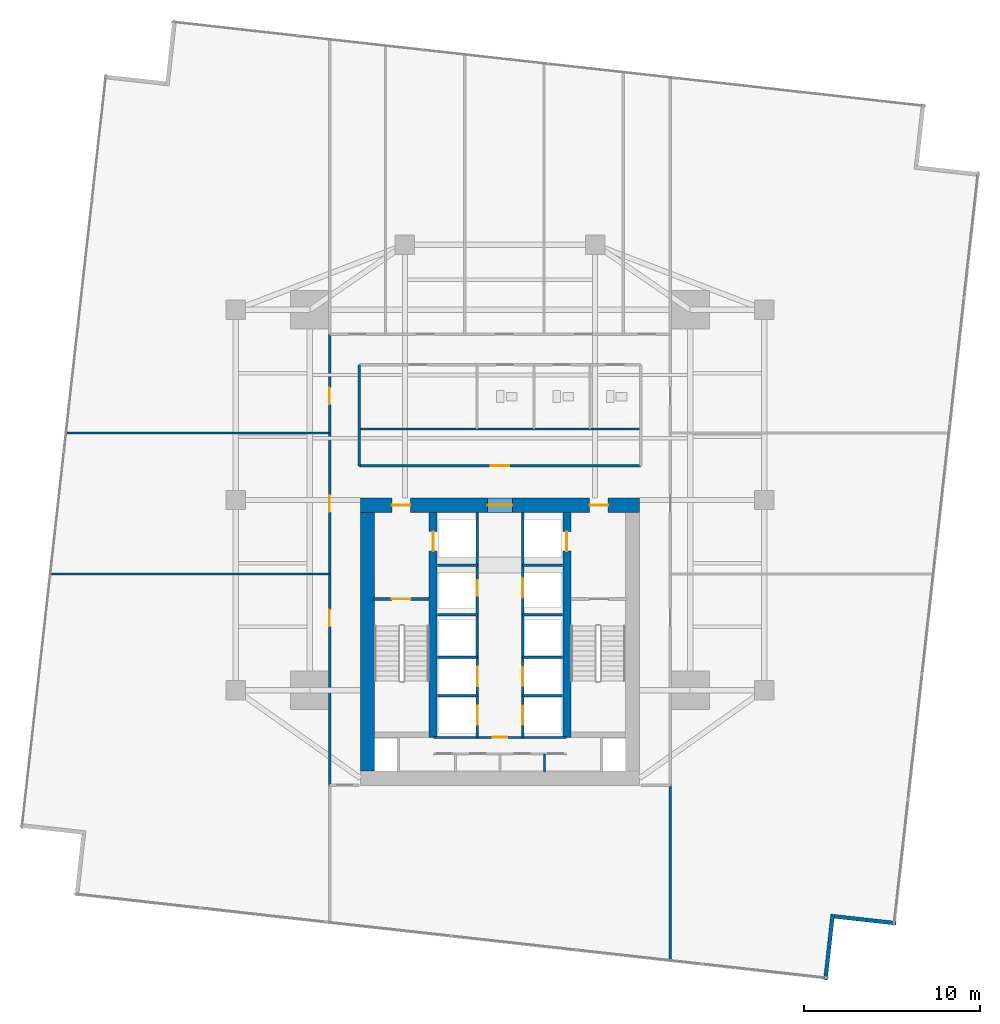
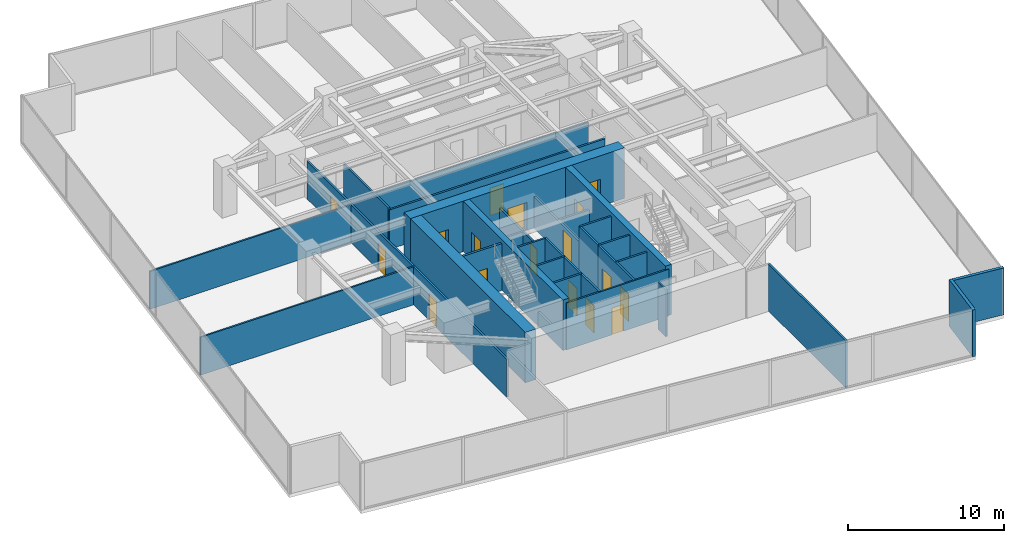
# One storey, part 25 of 29: 30 walls, 17 doors, 17 openings.
"""IFC4 building model written with IfcOpenShell, lengths in metres."""

import ifcopenshell
import ifcopenshell.guid

model = None  # the IFC model being written
_history = None  # IfcOwnerHistory: only IFC2X3 demands one
_inside = {}  # id of a spatial element -> (the spatial element, [elements in it])
_under = {}  # id of a project, library or spatial element -> (it, [spatial elements below it])
_declared = {}  # id of a project -> (the project, [libraries it declares])
_typed = {}  # id of a type object -> (the type object, [elements of that type])
_made_of = {}  # id of a material, layer set ... -> (it, [elements and type objects made of it])


def new_model(schema):
    """Start an empty IFC model of exactly this schema.

    Asked for "IFC4X3", IfcOpenShell would pick the latest addendum, in which some entities
    have other attributes; the version numbers below select the first issue.
    IFC2X3 requires an IfcOwnerHistory on every rooted entity: one is made here for all.
    """
    global model, _history
    if schema == "IFC4X3":
        model = ifcopenshell.file(schema_version=(4, 3, 0, 0))
    else:
        model = ifcopenshell.file(schema=schema)
    _inside.clear()
    _under.clear()
    _declared.clear()
    _typed.clear()
    _made_of.clear()
    _history = None
    if model.schema == "IFC2X3":
        org = make("IfcOrganization", Name="unknown")
        user = make(
            "IfcPersonAndOrganization",
            ThePerson=make("IfcPerson", FamilyName="unknown"),
            TheOrganization=org,
        )
        app = make(
            "IfcApplication",
            ApplicationDeveloper=org,
            Version="unknown",
            ApplicationFullName="unknown",
            ApplicationIdentifier="unknown",
        )
        _history = make(
            "IfcOwnerHistory",
            OwningUser=user,
            OwningApplication=app,
            ChangeAction="ADDED",
            CreationDate=0,
        )
    return model


def make(cls, **values):
    """One entity of the class cls with the attributes given. An attribute that is None is left unset."""
    return model.create_entity(
        cls, **{name: value for name, value in values.items() if value is not None}
    )


def rooted(cls, **values):
    """An entity with a GlobalId (a new one), such as an element, a storey or a relation."""
    return make(cls, GlobalId=ifcopenshell.guid.new(), OwnerHistory=_history, **values)


def si_unit(unit_type, name, prefix=None):
    """IfcSIUnit, for example si_unit("LENGTHUNIT", "METRE", prefix="MILLI")."""
    return make("IfcSIUnit", UnitType=unit_type, Prefix=prefix, Name=name)


def assignment(units):
    """IfcUnitAssignment: the units of a project."""
    return None if units is None else make("IfcUnitAssignment", Units=units)


def point(xyz):
    """IfcCartesianPoint."""
    return None if xyz is None else make("IfcCartesianPoint", Coordinates=xyz)


def direction(xyz):
    """IfcDirection."""
    return None if xyz is None else make("IfcDirection", DirectionRatios=xyz)


def frame(location, z_axis=None, x_axis=None):
    """IfcAxis2Placement3D, a coordinate frame: its origin and axes. An axis left out is left unset."""
    return make(
        "IfcAxis2Placement3D",
        Location=point(location),
        Axis=direction(z_axis),
        RefDirection=direction(x_axis),
    )


def frame_2d(location, x_axis=None):
    """IfcAxis2Placement2D, a coordinate frame in the plane: its origin and x axis."""
    return make(
        "IfcAxis2Placement2D", Location=point(location), RefDirection=direction(x_axis)
    )


def origin():
    """The frame at (0, 0, 0) with its axes left unset."""
    return frame((0.0, 0.0, 0.0))


def place(relative_to, where):
    """IfcLocalPlacement: puts the frame where relative to a parent placement (None: the world)."""
    return make(
        "IfcLocalPlacement", PlacementRelTo=relative_to, RelativePlacement=where
    )


def context(
    kind, dimensions, precision=None, world=None, true_north=None, identifier=None
):
    """IfcGeometricRepresentationContext, for example the 3D "Model" context."""
    return make(
        "IfcGeometricRepresentationContext",
        ContextIdentifier=identifier,
        ContextType=kind,
        CoordinateSpaceDimension=dimensions,
        Precision=precision,
        WorldCoordinateSystem=world,
        TrueNorth=true_north,
    )


def subcontext(parent, identifier, kind, view, scale=None):
    """IfcGeometricRepresentationSubContext, for example "Body" below "Model"."""
    return make(
        "IfcGeometricRepresentationSubContext",
        ContextIdentifier=identifier,
        ContextType=kind,
        ParentContext=parent,
        TargetScale=scale,
        TargetView=view,
    )


def project(units=None, contexts=None):
    """IfcProject with its units and contexts."""
    return rooted(
        "IfcProject",
        Name="project",
        RepresentationContexts=contexts,
        UnitsInContext=assignment(units),
    )


def spatial(cls, under=None, at=None, **own):
    """A site, building, storey or space (cls), placed at a placement, below another one or the project."""
    s = rooted(cls, ObjectPlacement=at, **own)
    if under is not None:
        _under.setdefault(under.id(), (under, []))[1].append(s)
    return s


def profile(cls, at=None, kind="AREA", **sizes):
    """A parametric profile (cls). Its sizes go by their IFC names, for example OverallWidth=200.0."""
    return make(cls, ProfileType=kind, Position=at, **sizes)


def rectangle(**sizes):
    """IfcRectangleProfileDef."""
    return profile("IfcRectangleProfileDef", **sizes)


def extrude(swept, where, along, depth):
    """IfcExtrudedAreaSolid: the profile swept, set in the frame where, extruded along a direction by depth."""
    return make(
        "IfcExtrudedAreaSolid",
        SweptArea=swept,
        Position=where,
        ExtrudedDirection=direction(along),
        Depth=depth,
    )


def shape(context_of_items, identifier, shape_type, items):
    """IfcShapeRepresentation: the items that make up one representation, for example the "Body"."""
    return make(
        "IfcShapeRepresentation",
        ContextOfItems=context_of_items,
        RepresentationIdentifier=identifier,
        RepresentationType=shape_type,
        Items=items,
    )


def material(Name=None, Category=None):
    """IfcMaterial."""
    return make("IfcMaterial", Name=Name, Category=Category)


def layer(
    of_material, thickness, ventilated=None, Name=None, Category=None, Priority=None
):
    """IfcMaterialLayer: one layer of a wall or slab, of a material (None: an air gap)."""
    return make(
        "IfcMaterialLayer",
        Material=of_material,
        LayerThickness=thickness,
        IsVentilated=ventilated,
        Name=Name,
        Category=Category,
        Priority=Priority,
    )


def layer_set(layers, Name=None):
    """IfcMaterialLayerSet."""
    return make("IfcMaterialLayerSet", MaterialLayers=layers, LayerSetName=Name)


def made_of(thing, what):
    """Note that an element or type object is made of a material, layer set ...; save() writes the relation."""
    if what is not None:
        _made_of.setdefault(what.id(), (what, []))[1].append(thing)
    return thing


def type_object(cls, material=None, **own):
    """A type object (cls), such as IfcWallType, which elements share."""
    return made_of(rooted(cls, **own), material)


def element(
    cls,
    number,
    at=None,
    inside=None,
    cuts=None,
    type_object=None,
    material=None,
    context=None,
    identifier="Body",
    shape_type=None,
    held_by="IfcProductDefinitionShape",
    body=None,
    shapes=None,
    **own,
):
    """One element of the class cls, such as IfcWall. Its Tag is "e" and its number.

    at: its placement. inside: the storey or other place that contains it. cuts: it is an
    opening in that element (IfcRelVoidsElement). A single representation is given by context,
    identifier, shape_type and body (its items); several are given by shapes. held_by: the class
    of the entity that holds the representations. save() writes the other relations.
    """
    e = rooted(cls, Tag="e%d" % number, ObjectPlacement=at, **own)
    if body is not None:
        shapes = [shape(context, identifier, shape_type, body)]
    if shapes is not None:
        e.Representation = make(held_by, Representations=shapes)
    if inside is not None:
        _inside.setdefault(inside.id(), (inside, []))[1].append(e)
    if cuts is not None:
        rooted(
            "IfcRelVoidsElement", RelatingBuildingElement=cuts, RelatedOpeningElement=e
        )
    if type_object is not None:
        _typed.setdefault(type_object.id(), (type_object, []))[1].append(e)
    return made_of(e, material)


def fill(opening, filler):
    """IfcRelFillsElement: the door or window that sits in an opening."""
    return rooted(
        "IfcRelFillsElement",
        RelatingOpeningElement=opening,
        RelatedBuildingElement=filler,
    )


def aggregate(whole, parts):
    """IfcRelAggregates: a whole, such as a stair, and the parts it consists of."""
    return rooted("IfcRelAggregates", RelatingObject=whole, RelatedObjects=parts)


def save(model, path):
    """Write the relations noted so far, then the file.

    IfcRelAggregates (storeys below a building ...), IfcRelContainedInSpatialStructure (elements
    in a storey), IfcRelDefinesByType, IfcRelAssociatesMaterial and IfcRelDeclares: one each for
    every whole, place, type object, material and project.
    """
    for whole, parts in _under.values():
        aggregate(whole, parts)
    for where, things in _inside.values():
        rooted(
            "IfcRelContainedInSpatialStructure",
            RelatedElements=things,
            RelatingStructure=where,
        )
    for kind, things in _typed.values():
        rooted("IfcRelDefinesByType", RelatedObjects=things, RelatingType=kind)
    for what, things in _made_of.values():
        rooted("IfcRelAssociatesMaterial", RelatedObjects=things, RelatingMaterial=what)
    for by, libraries in _declared.values():
        rooted("IfcRelDeclares", RelatingContext=by, RelatedDefinitions=libraries)
    model.write(path)


model = new_model("IFC4")

# Units and contexts
model_context = context("Model", 3, precision=1e-05, world=origin(), true_north=direction((0.0, 1.0)))
body_context = subcontext(model_context, "Body", "Model", "MODEL_VIEW")
ifc_project = project(units=[si_unit("LENGTHUNIT", "METRE"), si_unit("AREAUNIT", "SQUARE_METRE"), si_unit("VOLUMEUNIT", "CUBIC_METRE"), si_unit("PLANEANGLEUNIT", "RADIAN"), si_unit("MASSUNIT", "GRAM", prefix="KILO")], contexts=[model_context])

# Site, building, storey
site_placement = place(None, origin())
site = spatial("IfcSite", under=ifc_project, at=site_placement, CompositionType="ELEMENT")
building_placement = place(site_placement, origin())
building = spatial("IfcBuilding", under=site, at=building_placement, Name="Krantzveldt Concourse Tower", CompositionType="ELEMENT")
storey_placement = place(building_placement, frame((0.0, 0.0, 60.550048828125)))
storey = spatial("IfcBuildingStorey", under=building, at=storey_placement, Name="L14", CompositionType="ELEMENT", Elevation=60.550048828125)

# Walls
ifc_material_1 = material(Name="Anodised aluminium 6063-T6", Category="aluminium")
ifc_layer_1 = layer(ifc_material_1, 0.219970703125, Name="Anodised aluminium 6063-T6", Category="aluminium")
ifc_layer_set_1 = layer_set([ifc_layer_1], Name="Anodised aluminium 6063-T6 (WL-EXT-NOTCH220)")
wall_type_1 = type_object("IfcWallType", Name="WL-EXT-NOTCH220", PredefinedType="ELEMENTEDWALL", material=ifc_layer_set_1)
wall_1_placement = place(storey_placement, frame((54.47900390625, -0.54541015625, 0.0), z_axis=(0.0, 0.0, 1.0), x_axis=(0.111082600583, 0.99381117716, 0.0)))
element("IfcWall", 1, at=wall_1_placement, inside=storey, type_object=wall_type_1, Name="EW-L14-NCH05", PredefinedType="ELEMENTEDWALL", context=body_context, shape_type="SweptSolid", body=[
    extrude(rectangle(XDim=3.7451171875, YDim=0.219970703125, at=frame_2d((1.87255859375, 0.0))), origin(), (0.0, 0.0, 1.0), 3.669921875),
])
wall_2_placement = place(storey_placement, frame((54.991943359375, 3.054931640625, 0.0), z_axis=(0.0, 0.0, 1.0), x_axis=(0.993817675948, -0.111024443135, 0.0)))
element("IfcWall", 2, at=wall_2_placement, inside=storey, type_object=wall_type_1, Name="EW-L14-NCH06", PredefinedType="ELEMENTEDWALL", context=body_context, shape_type="SweptSolid", body=[
    extrude(rectangle(XDim=3.52490234375, YDim=0.219970703125, at=frame_2d((1.762451171875, 0.0))), origin(), (0.0, 0.0, 1.0), 3.669921875),
])

# Wall, opening, door
ifc_material_2 = material(Name="Fire-rated gypsum plasterboard on steel stud", Category="steel")
ifc_layer_2 = layer(ifc_material_2, 0.1201171875, Name="Fire-rated gypsum plasterboard on steel stud", Category="steel")
ifc_layer_set_2 = layer_set([ifc_layer_2], Name="Fire-rated gypsum plasterboard on steel stud (WL-PART-120)")
wall_type_2 = type_object("IfcWallType", Name="WL-PART-120", PredefinedType="PARTITIONING", material=ifc_layer_set_2)
wall_3_placement = place(storey_placement, frame((32.2099609375, 13.219970703125, 0.0), z_axis=(0.0, 0.0, 1.0), x_axis=(1.0, 0.0, 0.0)))
wall_3 = element("IfcWall", 3, at=wall_3_placement, inside=storey, type_object=wall_type_2, Name="WP-L14-CS2H", PredefinedType="PARTITIONING", context=body_context, shape_type="SweptSolid", body=[
    extrude(rectangle(XDim=7.580078125, YDim=0.1201171875, at=frame_2d((3.7900390625, 0.0))), origin(), (0.0, 0.0, 1.0), 3.669921875),
])
opening_1_placement = place(wall_3_placement, frame((3.364990234375, 0.0, 0.0)))
opening_1 = element("IfcOpeningElement", 4, at=opening_1_placement, cuts=wall_3, Name="Opening D-IN085", PredefinedType="OPENING", context=body_context, shape_type="SweptSolid", body=[
    extrude(rectangle(XDim=0.85009765625, YDim=2.10009765625, at=frame_2d((0.425048828125, 1.050048828125))), frame((0.0, 0.070068359375, 0.0), z_axis=(0.0, -1.0, 0.0), x_axis=(1.0, 0.0, 0.0)), (0.0, 0.0, 1.0), 0.14013671875),
])
ifc_material_3 = material(Name="Hardwood timber", Category="wood")
door_type_1 = type_object("IfcDoorType", Name="DR-INT-850", OperationType="SINGLE_SWING_LEFT", PredefinedType="DOOR", material=ifc_material_3)
door_1_placement = place(opening_1_placement, origin())
door_1 = element("IfcDoor", 5, at=door_1_placement, inside=storey, type_object=door_type_1, Name="DR-L14-LLBS", OperationType="SINGLE_SWING_RIGHT", OverallHeight=2.10009765625, OverallWidth=0.85009765625, PredefinedType="DOOR", context=body_context, shape_type="SweptSolid", body=[
    extrude(rectangle(XDim=0.85009765625, YDim=2.10009765625, at=frame_2d((0.425048828125, 1.050048828125))), frame((0.0, 0.02490234375, 0.0), z_axis=(0.0, -1.0, 0.0), x_axis=(1.0, 0.0, 0.0)), (0.0, 0.0, 1.0), 0.050048828125),
])
fill(opening_1, door_1)

# Walls
wall_4_placement = place(storey_placement, frame((38.530029296875, 11.25, 0.0), z_axis=(0.0, 0.0, 1.0), x_axis=(0.0, 1.0, 0.0)))
element("IfcWall", 6, at=wall_4_placement, inside=storey, type_object=wall_type_2, Name="WP-L14-CSD-V3", PredefinedType="PARTITIONING", context=body_context, shape_type="SweptSolid", body=[
    extrude(rectangle(XDim=1.030029296875, YDim=0.1201171875, at=frame_2d((0.51513671875, 0.0))), origin(), (0.0, 0.0, 1.0), 3.669921875),
])
wall_5_placement = place(storey_placement, frame((28.02001953125, 30.739990234375, 0.0), z_axis=(0.0, 0.0, 1.0), x_axis=(1.0, 0.0, 0.0)))
element("IfcWall", 7, at=wall_5_placement, inside=storey, type_object=wall_type_2, Name="WP-L14-ISLM", PredefinedType="PARTITIONING", context=body_context, shape_type="SweptSolid", body=[
    extrude(rectangle(XDim=15.9599609375, YDim=0.1201171875, at=frame_2d((7.97998046875, 0.0))), origin(), (0.0, 0.0, 1.0), 3.079833984375),
])
wall_6_placement = place(storey_placement, frame((10.4658203125, 22.5, 0.0), z_axis=(0.0, 0.0, 1.0), x_axis=(1.0, 0.0, 0.0)))
element("IfcWall", 8, at=wall_6_placement, inside=storey, type_object=wall_type_2, Name="WP-L14-WD1", PredefinedType="PARTITIONING", context=body_context, shape_type="SweptSolid", body=[
    extrude(rectangle(XDim=15.854248046875, YDim=0.1201171875, at=frame_2d((7.92724609375, 0.0))), origin(), (0.0, 0.0, 1.0), 2.969970703125),
])
wall_7_placement = place(storey_placement, frame((11.359619140625, 30.5, 0.0), z_axis=(0.0, 0.0, 1.0), x_axis=(1.0, 0.0, 0.0)))
element("IfcWall", 9, at=wall_7_placement, inside=storey, type_object=wall_type_2, Name="WP-L14-WD2", PredefinedType="PARTITIONING", context=body_context, shape_type="SweptSolid", body=[
    extrude(rectangle(XDim=14.96044921875, YDim=0.1201171875, at=frame_2d((7.480224609375, 0.0))), origin(), (0.0, 0.0, 1.0), 2.969970703125),
])

# Wall, opening, door
ifc_layer_3 = layer(ifc_material_2, 0.139892578125, Name="Fire-rated gypsum plasterboard on steel stud", Category="steel")
ifc_layer_set_3 = layer_set([ifc_layer_3], Name="Fire-rated gypsum plasterboard on steel stud (WL-PART-140)")
wall_type_3 = type_object("IfcWallType", Name="WL-PART-140", PredefinedType="PARTITIONING", material=ifc_layer_set_3)
wall_8_placement = place(storey_placement, frame((28.02001953125, 28.639892578125, 0.0), z_axis=(0.0, 0.0, 1.0), x_axis=(1.0, 0.0, 0.0)))
wall_8 = element("IfcWall", 10, at=wall_8_placement, inside=storey, type_object=wall_type_3, Name="WP-L14-ISLS", PredefinedType="PARTITIONING", context=body_context, shape_type="SweptSolid", body=[
    extrude(rectangle(XDim=15.9599609375, YDim=0.139892578125, at=frame_2d((7.97998046875, 0.0))), origin(), (0.0, 0.0, 1.0), 3.079833984375),
])
opening_2_placement = place(wall_8_placement, frame((7.455078125, 0.0, 0.0)))
opening_2 = element("IfcOpeningElement", 11, at=opening_2_placement, cuts=wall_8, Name="Opening D-IN105", PredefinedType="OPENING", context=body_context, shape_type="SweptSolid", body=[
    extrude(rectangle(XDim=1.050048828125, YDim=2.14990234375, at=frame_2d((0.52490234375, 1.074951171875))), frame((0.0, 0.080078125, 0.0), z_axis=(0.0, -1.0, 0.0), x_axis=(1.0, 0.0, 0.0)), (0.0, 0.0, 1.0), 0.159912109375),
])
door_type_2 = type_object("IfcDoorType", Name="DR-INT-1050", OperationType="SINGLE_SWING_LEFT", PredefinedType="DOOR", material=ifc_material_3)
door_2_placement = place(opening_2_placement, origin())
door_2 = element("IfcDoor", 12, at=door_2_placement, inside=storey, type_object=door_type_2, Name="DR-L14-MIDB", OperationType="SINGLE_SWING_LEFT", OverallHeight=2.14990234375, OverallWidth=1.050048828125, PredefinedType="DOOR", context=body_context, shape_type="SweptSolid", body=[
    extrude(rectangle(XDim=1.050048828125, YDim=2.14990234375, at=frame_2d((0.52490234375, 1.074951171875))), frame((0.0, 0.02490234375, 0.0), z_axis=(0.0, -1.0, 0.0), x_axis=(1.0, 0.0, 0.0)), (0.0, 0.0, 1.0), 0.050048828125),
])
fill(opening_2, door_2)

# Wall
wall_9_placement = place(storey_placement, frame((28.02001953125, 28.639892578125, 0.0), z_axis=(0.0, 0.0, 1.0), x_axis=(0.0, 1.0, 0.0)))
element("IfcWall", 13, at=wall_9_placement, inside=storey, type_object=wall_type_3, Name="WP-L14-ISLW", PredefinedType="PARTITIONING", context=body_context, shape_type="SweptSolid", body=[
    extrude(rectangle(XDim=5.739990234375, YDim=0.139892578125, at=frame_2d((2.8701171875, 0.0))), origin(), (0.0, 0.0, 1.0), 3.219970703125),
])

# Wall, openings, doors
wall_10_placement = place(storey_placement, frame((26.320068359375, 10.5, 0.0), z_axis=(0.0, 0.0, 1.0), x_axis=(0.0, 1.0, 0.0)))
wall_10 = element("IfcWall", 14, at=wall_10_placement, inside=storey, type_object=wall_type_3, Name="WP-L14-CWEST", PredefinedType="PARTITIONING", context=body_context, shape_type="SweptSolid", body=[
    extrude(rectangle(XDim=25.6201171875, YDim=0.139892578125, at=frame_2d((12.81005859375, 0.0))), origin(), (0.0, 0.0, 1.0), 2.969970703125),
])
opening_3_placement = place(wall_10_placement, frame((9.02490234375, 0.0, 0.0)))
opening_3 = element("IfcOpeningElement", 15, at=opening_3_placement, cuts=wall_10, Name="Opening D-IN095", PredefinedType="OPENING", context=body_context, shape_type="SweptSolid", body=[
    extrude(rectangle(XDim=0.949951171875, YDim=2.10009765625, at=frame_2d((0.47509765625, 1.050048828125))), frame((0.0, 0.080078125, 0.0), z_axis=(0.0, -1.0, 0.0), x_axis=(1.0, 0.0, 0.0)), (0.0, 0.0, 1.0), 0.159912109375),
])
opening_4_placement = place(wall_10_placement, frame((15.52490234375, 0.0, 0.0)))
opening_4 = element("IfcOpeningElement", 16, at=opening_4_placement, cuts=wall_10, Name="Opening D-IN095", PredefinedType="OPENING", context=body_context, shape_type="SweptSolid", body=[
    extrude(rectangle(XDim=0.949951171875, YDim=2.10009765625, at=frame_2d((0.47509765625, 1.050048828125))), frame((0.0, 0.080078125, 0.0), z_axis=(0.0, -1.0, 0.0), x_axis=(1.0, 0.0, 0.0)), (0.0, 0.0, 1.0), 0.159912109375),
])
opening_5_placement = place(wall_10_placement, frame((21.625, 0.0, 0.0)))
opening_5 = element("IfcOpeningElement", 17, at=opening_5_placement, cuts=wall_10, Name="Opening D-IN095", PredefinedType="OPENING", context=body_context, shape_type="SweptSolid", body=[
    extrude(rectangle(XDim=0.949951171875, YDim=2.10009765625, at=frame_2d((0.47509765625, 1.050048828125))), frame((0.0, 0.080078125, 0.0), z_axis=(0.0, -1.0, 0.0), x_axis=(1.0, 0.0, 0.0)), (0.0, 0.0, 1.0), 0.159912109375),
])
door_type_3 = type_object("IfcDoorType", Name="DR-INT-950", OperationType="SINGLE_SWING_LEFT", PredefinedType="DOOR", material=ifc_material_3)
door_3_placement = place(opening_3_placement, origin())
door_3 = element("IfcDoor", 18, at=door_3_placement, inside=storey, type_object=door_type_3, Name="DR-L14-WR1", OperationType="SINGLE_SWING_LEFT", OverallHeight=2.10009765625, OverallWidth=0.949951171875, PredefinedType="DOOR", context=body_context, shape_type="SweptSolid", body=[
    extrude(rectangle(XDim=0.949951171875, YDim=2.10009765625, at=frame_2d((0.47509765625, 1.050048828125))), frame((0.0, 0.02490234375, 0.0), z_axis=(0.0, -1.0, 0.0), x_axis=(1.0, 0.0, 0.0)), (0.0, 0.0, 1.0), 0.050048828125),
])
fill(opening_3, door_3)
door_4_placement = place(opening_4_placement, origin())
door_4 = element("IfcDoor", 19, at=door_4_placement, inside=storey, type_object=door_type_3, Name="DR-L14-WR2", OperationType="SINGLE_SWING_LEFT", OverallHeight=2.10009765625, OverallWidth=0.949951171875, PredefinedType="DOOR", context=body_context, shape_type="SweptSolid", body=[
    extrude(rectangle(XDim=0.949951171875, YDim=2.10009765625, at=frame_2d((0.47509765625, 1.050048828125))), frame((0.0, 0.02490234375, 0.0), z_axis=(0.0, -1.0, 0.0), x_axis=(1.0, 0.0, 0.0)), (0.0, 0.0, 1.0), 0.050048828125),
])
fill(opening_4, door_4)
door_5_placement = place(opening_5_placement, origin())
door_5 = element("IfcDoor", 20, at=door_5_placement, inside=storey, type_object=door_type_3, Name="DR-L14-WR3", OperationType="SINGLE_SWING_LEFT", OverallHeight=2.10009765625, OverallWidth=0.949951171875, PredefinedType="DOOR", context=body_context, shape_type="SweptSolid", body=[
    extrude(rectangle(XDim=0.949951171875, YDim=2.10009765625, at=frame_2d((0.47509765625, 1.050048828125))), frame((0.0, 0.02490234375, 0.0), z_axis=(0.0, -1.0, 0.0), x_axis=(1.0, 0.0, 0.0)), (0.0, 0.0, 1.0), 0.050048828125),
])
fill(opening_5, door_5)

# Wall
wall_11_placement = place(storey_placement, frame((45.679931640625, 0.553466796875, 0.0), z_axis=(0.0, 0.0, 1.0), x_axis=(0.0, 1.0, 0.0)))
element("IfcWall", 21, at=wall_11_placement, inside=storey, type_object=wall_type_3, Name="WP-L14-SER", PredefinedType="PARTITIONING", context=body_context, shape_type="SweptSolid", body=[
    extrude(rectangle(XDim=9.946533203125, YDim=0.139892578125, at=frame_2d((4.97314453125, 0.0))), origin(), (0.0, 0.0, 1.0), 3.669921875),
])

# Wall, opening, door
ifc_layer_4 = layer(ifc_material_2, 0.139892578125, Name="Fire-rated gypsum plasterboard on steel stud", Category="steel")
ifc_layer_set_4 = layer_set([ifc_layer_4], Name="Fire-rated gypsum plasterboard on steel stud (WL-PART-FR140)")
wall_type_4 = type_object("IfcWallType", Name="WL-PART-FR140", PredefinedType="PARTITIONING", material=ifc_layer_set_4)
wall_12_placement = place(storey_placement, frame((34.719970703125, 20.199951171875, 0.0), z_axis=(0.0, 0.0, 1.0), x_axis=(0.0, 1.0, 0.0)))
wall_12 = element("IfcWall", 22, at=wall_12_placement, inside=storey, type_object=wall_type_4, Name="WP-L14-SHNW", PredefinedType="PARTITIONING", context=body_context, shape_type="SweptSolid", body=[
    extrude(rectangle(XDim=5.780029296875, YDim=0.139892578125, at=frame_2d((2.89013671875, 0.0))), origin(), (0.0, 0.0, 1.0), 2.469970703125),
])
opening_6_placement = place(wall_12_placement, frame((1.050048828125, 0.0, 0.0)))
opening_6 = element("IfcOpeningElement", 23, at=opening_6_placement, cuts=wall_12, Name="Opening D-FD090", PredefinedType="OPENING", context=body_context, shape_type="SweptSolid", body=[
    extrude(rectangle(XDim=0.89990234375, YDim=2.10009765625, at=frame_2d((0.449951171875, 1.050048828125))), frame((0.0, 0.080078125, 0.0), z_axis=(0.0, -1.0, 0.0), x_axis=(1.0, 0.0, 0.0)), (0.0, 0.0, 1.0), 0.159912109375),
])
door_type_4 = type_object("IfcDoorType", Name="DR-FD60-900", OperationType="SINGLE_SWING_LEFT", PredefinedType="DOOR", material=ifc_material_3)
door_6_placement = place(opening_6_placement, origin())
door_6 = element("IfcDoor", 24, at=door_6_placement, inside=storey, type_object=door_type_4, Name="Electrical Riser Access Door L14", OperationType="SINGLE_SWING_LEFT", OverallHeight=2.10009765625, OverallWidth=0.89990234375, PredefinedType="DOOR", context=body_context, shape_type="SweptSolid", body=[
    extrude(rectangle(XDim=0.89990234375, YDim=2.10009765625, at=frame_2d((0.449951171875, 1.050048828125))), frame((0.0, 0.02490234375, 0.0), z_axis=(0.0, -1.0, 0.0), x_axis=(1.0, 0.0, 0.0)), (0.0, 0.0, 1.0), 0.050048828125),
])
fill(opening_6, door_6)

wall_13_placement = place(storey_placement, frame((37.280029296875, 20.199951171875, 0.0), z_axis=(0.0, 0.0, 1.0), x_axis=(0.0, 1.0, 0.0)))
wall_13 = element("IfcWall", 25, at=wall_13_placement, inside=storey, type_object=wall_type_4, Name="WP-L14-SHNE", PredefinedType="PARTITIONING", context=body_context, shape_type="SweptSolid", body=[
    extrude(rectangle(XDim=5.780029296875, YDim=0.139892578125, at=frame_2d((2.89013671875, 0.0))), origin(), (0.0, 0.0, 1.0), 2.469970703125),
])
opening_7_placement = place(wall_13_placement, frame((0.949951171875, 0.0, 0.0)))
opening_7 = element("IfcOpeningElement", 26, at=opening_7_placement, cuts=wall_13, Name="Opening LD", PredefinedType="OPENING", context=body_context, shape_type="SweptSolid", body=[
    extrude(rectangle(XDim=1.10009765625, YDim=2.14990234375, at=frame_2d((0.550048828125, 1.074951171875))), frame((0.0, 0.080078125, 0.0), z_axis=(0.0, -1.0, 0.0), x_axis=(1.0, 0.0, 0.0)), (0.0, 0.0, 1.0), 0.159912109375),
])
ifc_material_4 = material(Name="Stainless steel 316L", Category="steel")
door_type_5 = type_object("IfcDoorType", Name="DR-SLIDE-LD1100", OperationType="DOUBLE_DOOR_SLIDING", PredefinedType="DOOR", material=ifc_material_4)
door_7_placement = place(opening_7_placement, origin())
door_7 = element("IfcDoor", 27, at=door_7_placement, inside=storey, type_object=door_type_5, Name="LD-L14-GL1", OperationType="DOUBLE_DOOR_SLIDING", OverallHeight=2.14990234375, OverallWidth=1.10009765625, PredefinedType="DOOR", context=body_context, shape_type="SweptSolid", body=[
    extrude(rectangle(XDim=1.10009765625, YDim=2.14990234375, at=frame_2d((0.550048828125, 1.074951171875))), frame((0.0, 0.02490234375, 0.0), z_axis=(0.0, -1.0, 0.0), x_axis=(1.0, 0.0, 0.0)), (0.0, 0.0, 1.0), 0.050048828125),
])
fill(opening_7, door_7)

# Walls
for number, where, z_axis, x_axis, name in (
    (28, (32.449951171875, 23.0, 0.0), (0.0, 0.0, 1.0), (1.0, 0.0, 0.0), "WP-L14-RISH"),
    (29, (37.280029296875, 23.0, 0.0), (0.0, 0.0, 1.0), (1.0, 0.0, 0.0), "WP-L14-GLH"),
):
    element("IfcWall", number, at=place(storey_placement, frame(where, z_axis=z_axis, x_axis=x_axis)), inside=storey, type_object=wall_type_4, Name=name, PredefinedType="PARTITIONING", context=body_context, shape_type="SweptSolid", body=[
        extrude(rectangle(XDim=2.27001953125, YDim=0.139892578125, at=frame_2d((1.135009765625, 0.0))), origin(), (0.0, 0.0, 1.0), 2.469970703125),
    ])
for number, where, z_axis, x_axis, name in (
    (30, (34.719970703125, 17.780029296875, 0.0), (0.0, 0.0, 1.0), (0.0, 1.0, 0.0), "WP-L14-SHNW2"),
    (31, (37.280029296875, 17.780029296875, 0.0), (0.0, 0.0, 1.0), (0.0, 1.0, 0.0), "WP-L14-SHNE2"),
):
    element("IfcWall", number, at=place(storey_placement, frame(where, z_axis=z_axis, x_axis=x_axis)), inside=storey, type_object=wall_type_4, Name=name, PredefinedType="PARTITIONING", context=body_context, shape_type="SweptSolid", body=[
        extrude(rectangle(XDim=2.419921875, YDim=0.139892578125, at=frame_2d((1.2099609375, 0.0))), origin(), (0.0, 0.0, 1.0), 3.669921875),
    ])
for number, where, z_axis, x_axis, name in (
    (32, (32.449951171875, 17.780029296875, 0.0), (0.0, 0.0, 1.0), (1.0, 0.0, 0.0), "WP-L14-DIVW2"),
    (33, (32.449951171875, 20.179931640625, 0.0), (0.0, 0.0, 1.0), (1.0, 0.0, 0.0), "WP-L14-DIVW3"),
    (34, (37.280029296875, 17.780029296875, 0.0), (0.0, 0.0, 1.0), (1.0, 0.0, 0.0), "WP-L14-DIVE2"),
    (35, (37.280029296875, 20.179931640625, 0.0), (0.0, 0.0, 1.0), (1.0, 0.0, 0.0), "WP-L14-DIVE3"),
):
    element("IfcWall", number, at=place(storey_placement, frame(where, z_axis=z_axis, x_axis=x_axis)), inside=storey, type_object=wall_type_4, Name=name, PredefinedType="PARTITIONING", context=body_context, shape_type="SweptSolid", body=[
        extrude(rectangle(XDim=2.27001953125, YDim=0.139892578125, at=frame_2d((1.135009765625, 0.0))), origin(), (0.0, 0.0, 1.0), 3.669921875),
    ])

# Wall, openings, doors
wall_14_placement = place(storey_placement, frame((34.719970703125, 13.219970703125, 0.0), z_axis=(0.0, 0.0, 1.0), x_axis=(0.0, 1.0, 0.0)))
wall_14 = element("IfcWall", 36, at=wall_14_placement, inside=storey, type_object=wall_type_4, Name="WP-L14-SHSW", PredefinedType="PARTITIONING", context=body_context, shape_type="SweptSolid", body=[
    extrude(rectangle(XDim=4.56005859375, YDim=0.139892578125, at=frame_2d((2.280029296875, 0.0))), origin(), (0.0, 0.0, 1.0), 3.669921875),
])
opening_8_placement = place(wall_14_placement, frame((0.7099609375, 0.0, 0.0)))
opening_8 = element("IfcOpeningElement", 37, at=opening_8_placement, cuts=wall_14, Name="Opening LD", PredefinedType="OPENING", context=body_context, shape_type="SweptSolid", body=[
    extrude(rectangle(XDim=1.10009765625, YDim=2.14990234375, at=frame_2d((0.550048828125, 1.074951171875))), frame((0.0, 0.080078125, 0.0), z_axis=(0.0, -1.0, 0.0), x_axis=(1.0, 0.0, 0.0)), (0.0, 0.0, 1.0), 0.159912109375),
])
opening_9_placement = place(wall_14_placement, frame((2.909912109375, 0.0, 0.0)))
opening_9 = element("IfcOpeningElement", 38, at=opening_9_placement, cuts=wall_14, Name="Opening LD", PredefinedType="OPENING", context=body_context, shape_type="SweptSolid", body=[
    extrude(rectangle(XDim=1.10009765625, YDim=2.14990234375, at=frame_2d((0.550048828125, 1.074951171875))), frame((0.0, 0.080078125, 0.0), z_axis=(0.0, -1.0, 0.0), x_axis=(1.0, 0.0, 0.0)), (0.0, 0.0, 1.0), 0.159912109375),
])
door_8_placement = place(opening_8_placement, origin())
door_8 = element("IfcDoor", 39, at=door_8_placement, inside=storey, type_object=door_type_5, Name="LD-L14-PL1", OperationType="DOUBLE_DOOR_SLIDING", OverallHeight=2.14990234375, OverallWidth=1.10009765625, PredefinedType="DOOR", context=body_context, shape_type="SweptSolid", body=[
    extrude(rectangle(XDim=1.10009765625, YDim=2.14990234375, at=frame_2d((0.550048828125, 1.074951171875))), frame((0.0, 0.02490234375, 0.0), z_axis=(0.0, -1.0, 0.0), x_axis=(1.0, 0.0, 0.0)), (0.0, 0.0, 1.0), 0.050048828125),
])
fill(opening_8, door_8)
door_9_placement = place(opening_9_placement, origin())
door_9 = element("IfcDoor", 40, at=door_9_placement, inside=storey, type_object=door_type_5, Name="LD-L14-PL2", OperationType="DOUBLE_DOOR_SLIDING", OverallHeight=2.14990234375, OverallWidth=1.10009765625, PredefinedType="DOOR", context=body_context, shape_type="SweptSolid", body=[
    extrude(rectangle(XDim=1.10009765625, YDim=2.14990234375, at=frame_2d((0.550048828125, 1.074951171875))), frame((0.0, 0.02490234375, 0.0), z_axis=(0.0, -1.0, 0.0), x_axis=(1.0, 0.0, 0.0)), (0.0, 0.0, 1.0), 0.050048828125),
])
fill(opening_9, door_9)

# Wall
wall_15_placement = place(storey_placement, frame((32.449951171875, 15.580078125, 0.0), z_axis=(0.0, 0.0, 1.0), x_axis=(1.0, 0.0, 0.0)))
element("IfcWall", 41, at=wall_15_placement, inside=storey, type_object=wall_type_4, Name="WP-L14-DIVW1", PredefinedType="PARTITIONING", context=body_context, shape_type="SweptSolid", body=[
    extrude(rectangle(XDim=2.27001953125, YDim=0.139892578125, at=frame_2d((1.135009765625, 0.0))), origin(), (0.0, 0.0, 1.0), 3.669921875),
])

# Wall, openings, doors
wall_16_placement = place(storey_placement, frame((37.280029296875, 13.219970703125, 0.0), z_axis=(0.0, 0.0, 1.0), x_axis=(0.0, 1.0, 0.0)))
wall_16 = element("IfcWall", 42, at=wall_16_placement, inside=storey, type_object=wall_type_4, Name="WP-L14-SHSE", PredefinedType="PARTITIONING", context=body_context, shape_type="SweptSolid", body=[
    extrude(rectangle(XDim=4.56005859375, YDim=0.139892578125, at=frame_2d((2.280029296875, 0.0))), origin(), (0.0, 0.0, 1.0), 3.669921875),
])
opening_10_placement = place(wall_16_placement, frame((0.7099609375, 0.0, 0.0)))
opening_10 = element("IfcOpeningElement", 43, at=opening_10_placement, cuts=wall_16, Name="Opening LD", PredefinedType="OPENING", context=body_context, shape_type="SweptSolid", body=[
    extrude(rectangle(XDim=1.10009765625, YDim=2.14990234375, at=frame_2d((0.550048828125, 1.074951171875))), frame((0.0, 0.080078125, 0.0), z_axis=(0.0, -1.0, 0.0), x_axis=(1.0, 0.0, 0.0)), (0.0, 0.0, 1.0), 0.159912109375),
])
opening_11_placement = place(wall_16_placement, frame((2.909912109375, 0.0, 0.0)))
opening_11 = element("IfcOpeningElement", 44, at=opening_11_placement, cuts=wall_16, Name="Opening LD", PredefinedType="OPENING", context=body_context, shape_type="SweptSolid", body=[
    extrude(rectangle(XDim=1.10009765625, YDim=2.14990234375, at=frame_2d((0.550048828125, 1.074951171875))), frame((0.0, 0.080078125, 0.0), z_axis=(0.0, -1.0, 0.0), x_axis=(1.0, 0.0, 0.0)), (0.0, 0.0, 1.0), 0.159912109375),
])
door_10_placement = place(opening_10_placement, origin())
door_10 = element("IfcDoor", 45, at=door_10_placement, inside=storey, type_object=door_type_5, Name="LD-L14-PM1", OperationType="DOUBLE_DOOR_SLIDING", OverallHeight=2.14990234375, OverallWidth=1.10009765625, PredefinedType="DOOR", context=body_context, shape_type="SweptSolid", body=[
    extrude(rectangle(XDim=1.10009765625, YDim=2.14990234375, at=frame_2d((0.550048828125, 1.074951171875))), frame((0.0, 0.02490234375, 0.0), z_axis=(0.0, -1.0, 0.0), x_axis=(1.0, 0.0, 0.0)), (0.0, 0.0, 1.0), 0.050048828125),
])
fill(opening_10, door_10)
door_11_placement = place(opening_11_placement, origin())
door_11 = element("IfcDoor", 46, at=door_11_placement, inside=storey, type_object=door_type_5, Name="LD-L14-PM2", OperationType="DOUBLE_DOOR_SLIDING", OverallHeight=2.14990234375, OverallWidth=1.10009765625, PredefinedType="DOOR", context=body_context, shape_type="SweptSolid", body=[
    extrude(rectangle(XDim=1.10009765625, YDim=2.14990234375, at=frame_2d((0.550048828125, 1.074951171875))), frame((0.0, 0.02490234375, 0.0), z_axis=(0.0, -1.0, 0.0), x_axis=(1.0, 0.0, 0.0)), (0.0, 0.0, 1.0), 0.050048828125),
])
fill(opening_11, door_11)

# Wall
wall_17_placement = place(storey_placement, frame((37.280029296875, 15.580078125, 0.0), z_axis=(0.0, 0.0, 1.0), x_axis=(1.0, 0.0, 0.0)))
element("IfcWall", 47, at=wall_17_placement, inside=storey, type_object=wall_type_4, Name="WP-L14-DIVE1", PredefinedType="PARTITIONING", context=body_context, shape_type="SweptSolid", body=[
    extrude(rectangle(XDim=2.27001953125, YDim=0.139892578125, at=frame_2d((1.135009765625, 0.0))), origin(), (0.0, 0.0, 1.0), 3.669921875),
])

# Wall, opening, door
ifc_layer_5 = layer(ifc_material_2, 0.159912109375, Name="Fire-rated gypsum plasterboard on steel stud", Category="steel")
ifc_layer_set_5 = layer_set([ifc_layer_5], Name="Fire-rated gypsum plasterboard on steel stud (WL-PART-FR160)")
wall_type_5 = type_object("IfcWallType", Name="WL-PART-FR160", PredefinedType="PARTITIONING", material=ifc_layer_set_5)
wall_18_placement = place(storey_placement, frame((28.800048828125, 21.080078125, 0.0), z_axis=(0.0, 0.0, 1.0), x_axis=(1.0, 0.0, 0.0)))
wall_18 = element("IfcWall", 48, at=wall_18_placement, inside=storey, type_object=wall_type_5, Name="WP-L14-ST1", PredefinedType="PARTITIONING", context=body_context, shape_type="SweptSolid", body=[
    extrude(rectangle(XDim=3.159912109375, YDim=0.159912109375, at=frame_2d((1.580078125, 0.0))), origin(), (0.0, 0.0, 1.0), 3.669921875),
])
opening_12_placement = place(wall_18_placement, frame((1.054931640625, 0.0, 0.0)))
opening_12 = element("IfcOpeningElement", 49, at=opening_12_placement, cuts=wall_18, Name="Opening D-FD105", PredefinedType="OPENING", context=body_context, shape_type="SweptSolid", body=[
    extrude(rectangle(XDim=1.050048828125, YDim=2.10009765625, at=frame_2d((0.52490234375, 1.050048828125))), frame((0.0, 0.08984375, 0.0), z_axis=(0.0, -1.0, 0.0), x_axis=(1.0, 0.0, 0.0)), (0.0, 0.0, 1.0), 0.179931640625),
])
ifc_material_5 = material(Name="Galvanised steel", Category="steel")
door_type_6 = type_object("IfcDoorType", Name="DR-FD120-1050", OperationType="SINGLE_SWING_LEFT", PredefinedType="DOOR", material=ifc_material_5)
door_12_placement = place(opening_12_placement, origin())
door_12 = element("IfcDoor", 50, at=door_12_placement, inside=storey, type_object=door_type_6, Name="DR-L14-ST1", OperationType="SINGLE_SWING_RIGHT", OverallHeight=2.10009765625, OverallWidth=1.050048828125, PredefinedType="DOOR", context=body_context, shape_type="SweptSolid", body=[
    extrude(rectangle(XDim=1.050048828125, YDim=2.10009765625, at=frame_2d((0.52490234375, 1.050048828125))), frame((0.0, 0.02490234375, 0.0), z_axis=(0.0, -1.0, 0.0), x_axis=(1.0, 0.0, 0.0)), (0.0, 0.0, 1.0), 0.050048828125),
])
fill(opening_12, door_12)

ifc_material_6 = material(Name="Concrete C50/60", Category="concrete")
ifc_layer_6 = layer(ifc_material_6, 0.449951171875, Name="Concrete C50/60", Category="concrete")
ifc_layer_set_6 = layer_set([ifc_layer_6], Name="Concrete C50/60 (WL-SHEAR-450)")
wall_type_6 = type_object("IfcWallType", Name="WL-SHEAR-450", PredefinedType="SHEAR", material=ifc_layer_set_6)
wall_19_placement = place(storey_placement, frame((32.205078125, 13.219970703125, 0.0), z_axis=(0.0, 0.0, 1.0), x_axis=(0.0, 1.0, 0.0)))
wall_19 = element("IfcWall", 51, at=wall_19_placement, inside=storey, type_object=wall_type_6, Name="CW-L14-IW", PredefinedType="SHEAR", context=body_context, shape_type="SweptSolid", body=[
    extrude(rectangle(XDim=12.780029296875, YDim=0.449951171875, at=frame_2d((6.39013671875, 0.0))), origin(), (0.0, 0.0, 1.0), 3.949951171875),
])
opening_13_placement = place(wall_19_placement, frame((10.580078125, 0.0, 0.0)))
opening_13 = element("IfcOpeningElement", 52, at=opening_13_placement, cuts=wall_19, Name="Opening LD", PredefinedType="OPENING", context=body_context, shape_type="SweptSolid", body=[
    extrude(rectangle(XDim=1.10009765625, YDim=2.14990234375, at=frame_2d((0.550048828125, 1.074951171875))), frame((0.0, 0.23486328125, 0.0), z_axis=(0.0, -1.0, 0.0), x_axis=(1.0, 0.0, 0.0)), (0.0, 0.0, 1.0), 0.469970703125),
])
door_13_placement = place(opening_13_placement, origin())
door_13 = element("IfcDoor", 53, at=door_13_placement, inside=storey, type_object=door_type_5, Name="LD-L14-FL1", OperationType="DOUBLE_DOOR_SLIDING", OverallHeight=2.14990234375, OverallWidth=1.10009765625, PredefinedType="DOOR", context=body_context, shape_type="SweptSolid", body=[
    extrude(rectangle(XDim=1.10009765625, YDim=2.14990234375, at=frame_2d((0.550048828125, 1.074951171875))), frame((0.0, 0.02490234375, 0.0), z_axis=(0.0, -1.0, 0.0), x_axis=(1.0, 0.0, 0.0)), (0.0, 0.0, 1.0), 0.050048828125),
])
fill(opening_13, door_13)

wall_20_placement = place(storey_placement, frame((39.794921875, 13.219970703125, 0.0), z_axis=(0.0, 0.0, 1.0), x_axis=(0.0, 1.0, 0.0)))
wall_20 = element("IfcWall", 54, at=wall_20_placement, inside=storey, type_object=wall_type_6, Name="CW-L14-IE", PredefinedType="SHEAR", context=body_context, shape_type="SweptSolid", body=[
    extrude(rectangle(XDim=12.780029296875, YDim=0.449951171875, at=frame_2d((6.39013671875, 0.0))), origin(), (0.0, 0.0, 1.0), 3.949951171875),
])
opening_14_placement = place(wall_20_placement, frame((10.580078125, 0.0, 0.0)))
opening_14 = element("IfcOpeningElement", 55, at=opening_14_placement, cuts=wall_20, Name="Opening LD", PredefinedType="OPENING", context=body_context, shape_type="SweptSolid", body=[
    extrude(rectangle(XDim=1.10009765625, YDim=2.14990234375, at=frame_2d((0.550048828125, 1.074951171875))), frame((0.0, 0.23486328125, 0.0), z_axis=(0.0, -1.0, 0.0), x_axis=(1.0, 0.0, 0.0)), (0.0, 0.0, 1.0), 0.469970703125),
])
door_14_placement = place(opening_14_placement, origin())
door_14 = element("IfcDoor", 56, at=door_14_placement, inside=storey, type_object=door_type_5, Name="LD-L14-FL2", OperationType="DOUBLE_DOOR_SLIDING", OverallHeight=2.14990234375, OverallWidth=1.10009765625, PredefinedType="DOOR", context=body_context, shape_type="SweptSolid", body=[
    extrude(rectangle(XDim=1.10009765625, YDim=2.14990234375, at=frame_2d((0.550048828125, 1.074951171875))), frame((0.0, 0.02490234375, 0.0), z_axis=(0.0, -1.0, 0.0), x_axis=(1.0, 0.0, 0.0)), (0.0, 0.0, 1.0), 0.050048828125),
])
fill(opening_14, door_14)

# Wall, openings, doors
ifc_material_7 = material(Name="Concrete C60/75", Category="concrete")
ifc_layer_7 = layer(ifc_material_7, 0.800048828125, Name="Concrete C60/75", Category="concrete")
ifc_layer_set_7 = layer_set([ifc_layer_7], Name="Concrete C60/75 (WL-SHEAR-800)")
wall_type_7 = type_object("IfcWallType", Name="WL-SHEAR-800", PredefinedType="SHEAR", material=ifc_layer_set_7)
wall_21_placement = place(storey_placement, frame((28.080078125, 26.39990234375, 0.0), z_axis=(0.0, 0.0, 1.0), x_axis=(1.0, 0.0, 0.0)))
wall_21 = element("IfcWall", 57, at=wall_21_placement, inside=storey, type_object=wall_type_7, Name="CW-L14-N", PredefinedType="SHEAR", context=body_context, shape_type="SweptSolid", body=[
    extrude(rectangle(XDim=15.83984375, YDim=0.800048828125, at=frame_2d((7.919921875, 0.0))), origin(), (0.0, 0.0, 1.0), 3.949951171875),
])
opening_15_placement = place(wall_21_placement, frame((7.219970703125, 0.0, 0.0)))
opening_15 = element("IfcOpeningElement", 58, at=opening_15_placement, cuts=wall_21, Name="Opening D-DB140", PredefinedType="OPENING", context=body_context, shape_type="SweptSolid", body=[
    extrude(rectangle(XDim=1.39990234375, YDim=2.199951171875, at=frame_2d((0.699951171875, 1.10009765625))), frame((0.0, 0.41015625, 0.0), z_axis=(0.0, -1.0, 0.0), x_axis=(1.0, 0.0, 0.0)), (0.0, 0.0, 1.0), 0.820068359375),
])
opening_16_placement = place(wall_21_placement, frame((1.77490234375, 0.0, 0.0)))
opening_16 = element("IfcOpeningElement", 59, at=opening_16_placement, cuts=wall_21, Name="Opening D-FD105", PredefinedType="OPENING", context=body_context, shape_type="SweptSolid", body=[
    extrude(rectangle(XDim=1.050048828125, YDim=2.10009765625, at=frame_2d((0.52490234375, 1.050048828125))), frame((0.0, 0.41015625, 0.0), z_axis=(0.0, -1.0, 0.0), x_axis=(1.0, 0.0, 0.0)), (0.0, 0.0, 1.0), 0.820068359375),
])
opening_17_placement = place(wall_21_placement, frame((13.014892578125, 0.0, 0.0)))
opening_17 = element("IfcOpeningElement", 60, at=opening_17_placement, cuts=wall_21, Name="Opening D-FD105", PredefinedType="OPENING", context=body_context, shape_type="SweptSolid", body=[
    extrude(rectangle(XDim=1.050048828125, YDim=2.10009765625, at=frame_2d((0.52490234375, 1.050048828125))), frame((0.0, 0.41015625, 0.0), z_axis=(0.0, -1.0, 0.0), x_axis=(1.0, 0.0, 0.0)), (0.0, 0.0, 1.0), 0.820068359375),
])
door_type_7 = type_object("IfcDoorType", Name="DR-DBL-1400", OperationType="DOUBLE_DOOR_SINGLE_SWING", PredefinedType="DOOR", material=ifc_material_1)
door_15_placement = place(opening_15_placement, origin())
door_15 = element("IfcDoor", 61, at=door_15_placement, inside=storey, type_object=door_type_7, Name="DR-L14-LLB", OperationType="DOUBLE_DOOR_SINGLE_SWING", OverallHeight=2.199951171875, OverallWidth=1.39990234375, PredefinedType="DOOR", context=body_context, shape_type="SweptSolid", body=[
    extrude(rectangle(XDim=1.39990234375, YDim=2.199951171875, at=frame_2d((0.699951171875, 1.10009765625))), frame((0.0, 0.02490234375, 0.0), z_axis=(0.0, -1.0, 0.0), x_axis=(1.0, 0.0, 0.0)), (0.0, 0.0, 1.0), 0.050048828125),
])
fill(opening_15, door_15)
door_16_placement = place(opening_16_placement, origin())
door_16 = element("IfcDoor", 62, at=door_16_placement, inside=storey, type_object=door_type_6, Name="DR-L14-FFL1", OperationType="SINGLE_SWING_LEFT", OverallHeight=2.10009765625, OverallWidth=1.050048828125, PredefinedType="DOOR", context=body_context, shape_type="SweptSolid", body=[
    extrude(rectangle(XDim=1.050048828125, YDim=2.10009765625, at=frame_2d((0.52490234375, 1.050048828125))), frame((0.0, 0.02490234375, 0.0), z_axis=(0.0, -1.0, 0.0), x_axis=(1.0, 0.0, 0.0)), (0.0, 0.0, 1.0), 0.050048828125),
])
fill(opening_16, door_16)
door_17_placement = place(opening_17_placement, origin())
door_17 = element("IfcDoor", 63, at=door_17_placement, inside=storey, type_object=door_type_6, Name="DR-L14-FFL2", OperationType="SINGLE_SWING_RIGHT", OverallHeight=2.10009765625, OverallWidth=1.050048828125, PredefinedType="DOOR", context=body_context, shape_type="SweptSolid", body=[
    extrude(rectangle(XDim=1.050048828125, YDim=2.10009765625, at=frame_2d((0.52490234375, 1.050048828125))), frame((0.0, 0.02490234375, 0.0), z_axis=(0.0, -1.0, 0.0), x_axis=(1.0, 0.0, 0.0)), (0.0, 0.0, 1.0), 0.050048828125),
])
fill(opening_17, door_17)

# Wall
wall_22_placement = place(storey_placement, frame((28.47998046875, 11.300048828125, 0.0), z_axis=(0.0, 0.0, 1.0), x_axis=(0.0, 1.0, 0.0)))
element("IfcWall", 64, at=wall_22_placement, inside=storey, type_object=wall_type_7, Name="CW-L14-W", PredefinedType="SHEAR", context=body_context, shape_type="SweptSolid", body=[
    extrude(rectangle(XDim=14.699951171875, YDim=0.800048828125, at=frame_2d((7.35009765625, 0.0))), origin(), (0.0, 0.0, 1.0), 3.949951171875),
])

save(model, "model.ifc")
